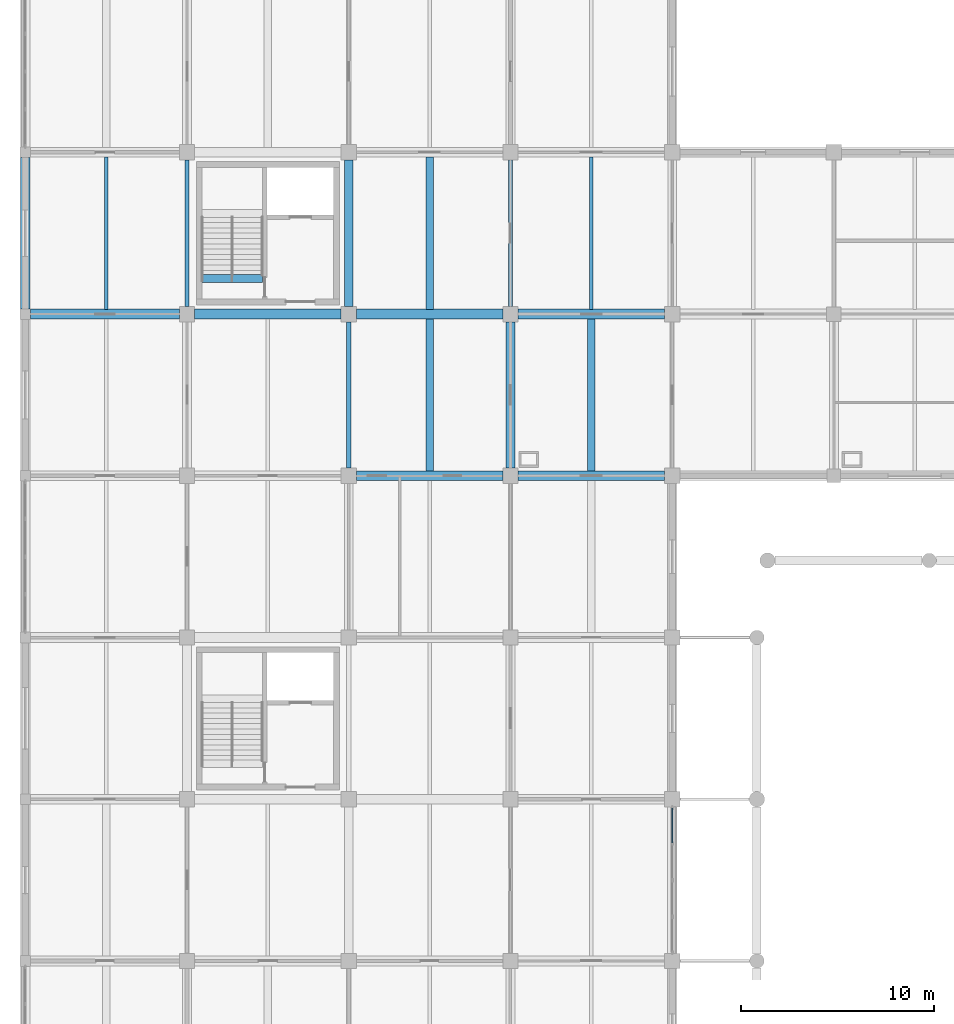
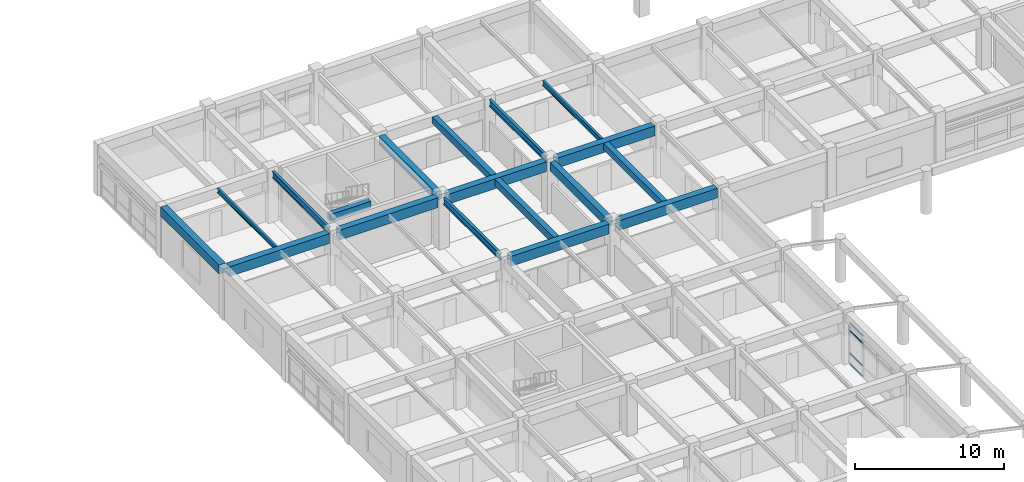
# One storey, part 7 of 99: 18 beams, 4 members, 1 element without a shape of its own.
"""IFC4 building model written with IfcOpenShell, lengths in metres."""

from ifc_helpers import new_model, si_unit, direction, frame, origin, origin_2d, place, context, subcontext, project, spatial, rectangle, i_section, extrude, material, layer, layer_set, material_profile, profile_set, type_object, element, aggregate, save


model = new_model("IFC4")

# Units and contexts
model_context = context("Model", 3, precision=1e-05, world=origin(), true_north=direction((0.0, 1.0)))
body_context = subcontext(model_context, "Body", "Model", "MODEL_VIEW")
ifc_project = project(units=[si_unit("LENGTHUNIT", "METRE"), si_unit("AREAUNIT", "SQUARE_METRE"), si_unit("VOLUMEUNIT", "CUBIC_METRE"), si_unit("PLANEANGLEUNIT", "RADIAN"), si_unit("MASSUNIT", "GRAM", prefix="KILO")], contexts=[model_context])

# Site, building, storey
site_placement = place(None, origin())
site = spatial("IfcSite", under=ifc_project, at=site_placement, CompositionType="ELEMENT")
building_placement = place(site_placement, origin())
building = spatial("IfcBuilding", under=site, at=building_placement, Name="Porcellanite Civic Hall", CompositionType="ELEMENT")
storey_placement = place(building_placement, frame((0.0, 0.0, 5.760009765625)))
storey = spatial("IfcBuildingStorey", under=building, at=storey_placement, Name="L01", CompositionType="ELEMENT", Elevation=5.760009765625)

# Beams
ifc_material_1 = material(Name="Concrete N50 (50 MPa)", Category="concrete")
ifc_material_profile_1 = material_profile(ifc_material_1, rectangle(XDim=0.39990234375, YDim=0.550048828125, at=origin_2d()), Name="RC-400x550")
ifc_profile_set_1 = profile_set([ifc_material_profile_1], Name="Concrete N50 (50 MPa)")
beam_type_1 = type_object("IfcBeamType", Name="BM-RC550", PredefinedType="JOIST", material=ifc_profile_set_1)
beam_1_placement = place(storey_placement, frame((21.0, 59.049560546875, 3.925048828125), z_axis=(0.0, 1.0, 0.0), x_axis=(-1.0, 0.0, 0.0)))
element("IfcBeam", 1, at=beam_1_placement, inside=storey, type_object=beam_type_1, Name="Secondary joist L01 3-8", PredefinedType="JOIST", context=body_context, shape_type="SweptSolid", body=[
    extrude(rectangle(XDim=0.39990234375, YDim=0.550048828125, at=origin_2d()), origin(), (0.0, 0.0, 1.0), 7.90087890625),
])
beam_2_placement = place(storey_placement, frame((29.39990234375, 50.6494140625, 3.925048828125), z_axis=(0.0, 1.0, 0.0), x_axis=(-1.0, 0.0, 0.0)))
element("IfcBeam", 2, at=beam_2_placement, inside=storey, type_object=beam_type_1, Name="Secondary joist L01 4-7", PredefinedType="JOIST", context=body_context, shape_type="SweptSolid", body=[
    extrude(rectangle(XDim=0.39990234375, YDim=0.550048828125, at=origin_2d()), origin(), (0.0, 0.0, 1.0), 7.901123046875),
])
beam_3_placement = place(storey_placement, frame((9.180419921875, 60.64990234375, 3.925048828125), z_axis=(1.0, 0.0, 0.0), x_axis=(0.0, 1.0, 0.0)))
element("IfcBeam", 3, at=beam_3_placement, inside=storey, type_object=beam_type_1, Name="Stair header beam C2 L01", PredefinedType="JOIST", context=body_context, shape_type="SweptSolid", body=[
    extrude(rectangle(XDim=0.39990234375, YDim=0.550048828125, at=origin_2d()), origin(), (0.0, 0.0, 1.0), 3.13916015625),
])
ifc_material_2 = material(Name="Concrete N50 (50 MPa)", Category="concrete")
ifc_material_profile_2 = material_profile(ifc_material_2, rectangle(XDim=0.39990234375, YDim=0.60009765625, at=origin_2d()), Name="RC-400x600")
ifc_profile_set_2 = profile_set([ifc_material_profile_2], Name="Concrete N50 (50 MPa)")
beam_type_2 = type_object("IfcBeamType", Name="BM-RC600", PredefinedType="JOIST", material=ifc_profile_set_2)
beam_4_placement = place(storey_placement, frame((21.0, 50.6494140625, 3.89990234375), z_axis=(0.0, 1.0, 0.0), x_axis=(-1.0, 0.0, 0.0)))
element("IfcBeam", 4, at=beam_4_placement, inside=storey, type_object=beam_type_2, Name="Secondary joist L01 3-7", PredefinedType="JOIST", context=body_context, shape_type="SweptSolid", body=[
    extrude(rectangle(XDim=0.39990234375, YDim=0.60009765625, at=origin_2d()), origin(), (0.0, 0.0, 1.0), 7.901123046875),
])
ifc_material_3 = material(Name="Concrete N50 (50 MPa)", Category="concrete")
ifc_material_profile_3 = material_profile(ifc_material_3, rectangle(XDim=0.449951171875, YDim=0.699951171875, at=origin_2d()), Name="RC-450x700")
ifc_profile_set_3 = profile_set([ifc_material_profile_3], Name="Concrete N50 (50 MPa)")
beam_type_3 = type_object("IfcBeamType", Name="BM-RC700", PredefinedType="BEAM", material=ifc_profile_set_3)
beam_5_placement = place(storey_placement, frame((16.800048828125, 59.199462890625, 3.85009765625), z_axis=(0.0, 1.0, 0.0), x_axis=(-1.0, 0.0, 0.0)))
element("IfcBeam", 5, at=beam_5_placement, inside=storey, type_object=beam_type_3, Name="Beam Y L01 3-8", PredefinedType="BEAM", context=body_context, shape_type="SweptSolid", body=[
    extrude(rectangle(XDim=0.449951171875, YDim=0.699951171875, at=origin_2d()), origin(), (0.0, 0.0, 1.0), 7.60107421875),
])
beam_6_placement = place(storey_placement, frame((25.199951171875, 50.799560546875, 3.85009765625), z_axis=(0.0, 1.0, 0.0), x_axis=(-1.0, 0.0, 0.0)))
element("IfcBeam", 6, at=beam_6_placement, inside=storey, type_object=beam_type_3, Name="Beam Y L01 4-7", PredefinedType="BEAM", context=body_context, shape_type="SweptSolid", body=[
    extrude(rectangle(XDim=0.449951171875, YDim=0.699951171875, at=origin_2d()), origin(), (0.0, 0.0, 1.0), 7.600830078125),
])
ifc_material_4 = material(Name="Concrete N50 (50 MPa)", Category="concrete")
ifc_material_profile_4 = material_profile(ifc_material_4, rectangle(XDim=0.5, YDim=0.75, at=origin_2d()), Name="RC-500x750")
ifc_profile_set_4 = profile_set([ifc_material_profile_4], Name="Concrete N50 (50 MPa)")
beam_type_4 = type_object("IfcBeamType", Name="BM-RC750", PredefinedType="SPANDREL", material=ifc_profile_set_4)
beam_7_placement = place(storey_placement, frame((0.0, 59.074462890625, 3.824951171875), z_axis=(0.0, 1.0, 0.0), x_axis=(-1.0, 0.0, 0.0)))
element("IfcBeam", 7, at=beam_7_placement, inside=storey, type_object=beam_type_4, Name="Beam Y L01 1-8", PredefinedType="SPANDREL", context=body_context, shape_type="SweptSolid", body=[
    extrude(rectangle(XDim=0.5, YDim=0.75, at=origin_2d()), origin(), (0.0, 0.0, 1.0), 7.85107421875),
])
ifc_material_5 = material(Name="Concrete N50 (50 MPa)", Category="concrete")
ifc_material_profile_5 = material_profile(ifc_material_5, rectangle(XDim=0.5, YDim=0.800048828125, at=origin_2d()), Name="RC-500x800")
ifc_profile_set_5 = profile_set([ifc_material_profile_5], Name="Concrete N50 (50 MPa)")
beam_type_5 = type_object("IfcBeamType", Name="BM-RC800", PredefinedType="BEAM", material=ifc_profile_set_5)
beam_8_placement = place(storey_placement, frame((0.2744140625, 58.800048828125, 3.800048828125), z_axis=(1.0, 0.0, 0.0), x_axis=(0.0, 1.0, 0.0)))
element("IfcBeam", 8, at=beam_8_placement, inside=storey, type_object=beam_type_5, Name="Beam X L01 1-8", PredefinedType="BEAM", context=body_context, shape_type="SweptSolid", body=[
    extrude(rectangle(XDim=0.5, YDim=0.800048828125, at=origin_2d()), origin(), (0.0, 0.0, 1.0), 7.72607421875),
])
beam_9_placement = place(storey_placement, frame((8.799560546875, 58.800048828125, 3.800048828125), z_axis=(1.0, 0.0, 0.0), x_axis=(0.0, 1.0, 0.0)))
element("IfcBeam", 9, at=beam_9_placement, inside=storey, type_object=beam_type_5, Name="Beam X L01 2-8", PredefinedType="BEAM", context=body_context, shape_type="SweptSolid", body=[
    extrude(rectangle(XDim=0.5, YDim=0.800048828125, at=origin_2d()), origin(), (0.0, 0.0, 1.0), 7.600830078125),
])
for number, where, z_axis, x_axis, name in (
    (10, (17.199462890625, 50.39990234375, 3.800048828125), (1.0, 0.0, 0.0), (0.0, 1.0, 0.0), "Beam X L01 3-7"),
    (11, (17.199462890625, 58.800048828125, 3.800048828125), (1.0, 0.0, 0.0), (0.0, 1.0, 0.0), "Beam X L01 3-8"),
):
    element("IfcBeam", number, at=place(storey_placement, frame(where, z_axis=z_axis, x_axis=x_axis)), inside=storey, type_object=beam_type_5, Name=name, PredefinedType="BEAM", context=body_context, shape_type="SweptSolid", body=[
        extrude(rectangle(XDim=0.5, YDim=0.800048828125, at=origin_2d()), origin(), (0.0, 0.0, 1.0), 7.60107421875),
    ])
for number, where, z_axis, x_axis, name in (
    (12, (25.599609375, 50.39990234375, 3.800048828125), (1.0, 0.0, 0.0), (0.0, 1.0, 0.0), "Beam X L01 4-7"),
    (13, (25.599609375, 58.800048828125, 3.800048828125), (1.0, 0.0, 0.0), (0.0, 1.0, 0.0), "Beam X L01 4-8"),
):
    element("IfcBeam", number, at=place(storey_placement, frame(where, z_axis=z_axis, x_axis=x_axis)), inside=storey, type_object=beam_type_5, Name=name, PredefinedType="BEAM", context=body_context, shape_type="SweptSolid", body=[
        extrude(rectangle(XDim=0.5, YDim=0.800048828125, at=origin_2d()), origin(), (0.0, 0.0, 1.0), 7.600830078125),
    ])

# Curtain wall, members
ifc_material_6 = material(Name="Anodised aluminium and solar laminated glass", Category="aluminium")
ifc_layer = layer(ifc_material_6, 0.179931640625)
ifc_layer_set = layer_set([ifc_layer], Name="Anodised aluminium and solar laminated glass")
curtain_wall_type = type_object("IfcCurtainWallType", Name="CW-SYS05", PredefinedType="NOTDEFINED", material=ifc_layer_set)
curtain_wall_placement = place(storey_placement, origin())
curtain_wall = element("IfcCurtainWall", 14, at=curtain_wall_placement, inside=storey, type_object=curtain_wall_type, Name="Curtain wall CW-071", PredefinedType="NOTDEFINED")
ifc_material_7 = material(Name="Anodised aluminium 6063-T6", Category="aluminium")
ifc_material_profile_6 = material_profile(ifc_material_7, rectangle(XDim=0.06005859375, YDim=0.1298828125, at=origin_2d()), Name="AL-60x130")
ifc_profile_set_6 = profile_set([ifc_material_profile_6], Name="Anodised aluminium 6063-T6")
member_type = type_object("IfcMemberType", Name="CWT-03", PredefinedType="USERDEFINED", material=ifc_profile_set_6)
member_1_placement = place(storey_placement, frame((33.60009765625, 33.12890625, 0.030029296875), z_axis=(0.0, -1.0, 0.0), x_axis=(1.0, 0.0, 0.0)))
member_1 = element("IfcMember", 15, at=member_1_placement, type_object=member_type, Name="CW-071 transom 1.1", ObjectType="TRANSOM", PredefinedType="USERDEFINED", context=body_context, shape_type="SweptSolid", body=[
    extrude(rectangle(XDim=0.06005859375, YDim=0.1298828125, at=origin_2d()), origin(), (0.0, 0.0, 1.0), 1.79443359375),
])
member_2_placement = place(storey_placement, frame((33.60009765625, 33.12890625, 0.89990234375), z_axis=(0.0, -1.0, 0.0), x_axis=(1.0, 0.0, 0.0)))
member_2 = element("IfcMember", 16, at=member_2_placement, type_object=member_type, Name="CW-071 transom 1.2", ObjectType="TRANSOM", PredefinedType="USERDEFINED", context=body_context, shape_type="SweptSolid", body=[
    extrude(rectangle(XDim=0.06005859375, YDim=0.1298828125, at=origin_2d()), origin(), (0.0, 0.0, 1.0), 1.79443359375),
])
member_3_placement = place(storey_placement, frame((33.60009765625, 33.12890625, 2.75), z_axis=(0.0, -1.0, 0.0), x_axis=(1.0, 0.0, 0.0)))
member_3 = element("IfcMember", 17, at=member_3_placement, type_object=member_type, Name="CW-071 transom 1.3", ObjectType="TRANSOM", PredefinedType="USERDEFINED", context=body_context, shape_type="SweptSolid", body=[
    extrude(rectangle(XDim=0.06005859375, YDim=0.1298828125, at=origin_2d()), origin(), (0.0, 0.0, 1.0), 1.79443359375),
])
member_4_placement = place(storey_placement, frame((33.60009765625, 33.12890625, 3.369873046875), z_axis=(0.0, -1.0, 0.0), x_axis=(1.0, 0.0, 0.0)))
member_4 = element("IfcMember", 18, at=member_4_placement, type_object=member_type, Name="CW-071 transom 1.4", ObjectType="TRANSOM", PredefinedType="USERDEFINED", context=body_context, shape_type="SweptSolid", body=[
    extrude(rectangle(XDim=0.06005859375, YDim=0.1298828125, at=origin_2d()), origin(), (0.0, 0.0, 1.0), 1.79443359375),
])
aggregate(curtain_wall, [member_1, member_2, member_3, member_4])

# Beams
ifc_material_8 = material(Name="Steel Grade 350", Category="steel")
ifc_material_profile_7 = material_profile(ifc_material_8, i_section(OverallWidth=0.1708984375, OverallDepth=0.35595703125, WebThickness=0.00732421875, FlangeThickness=0.011474609375, FilletRadius=0.011474609375, at=origin_2d()), Name="360UB50.7")
ifc_profile_set_7 = profile_set([ifc_material_profile_7], Name="Steel Grade 350")
beam_type_6 = type_object("IfcBeamType", Name="JST-360UB51", PredefinedType="JOIST", material=ifc_profile_set_7)
beam_10_placement = place(storey_placement, frame((4.199951171875, 59.049560546875, 4.02197265625), z_axis=(0.0, 1.0, 0.0), x_axis=(-1.0, 0.0, 0.0)))
element("IfcBeam", 19, at=beam_10_placement, inside=storey, type_object=beam_type_6, Name="Secondary joist L01 1-8", PredefinedType="JOIST", context=body_context, shape_type="SweptSolid", body=[
    extrude(i_section(OverallWidth=0.1708984375, OverallDepth=0.35595703125, WebThickness=0.00732421875, FlangeThickness=0.011474609375, FilletRadius=0.011474609375, at=origin_2d()), origin(), (0.0, 0.0, 1.0), 7.90087890625),
])
ifc_material_9 = material(Name="Steel Grade 350", Category="steel")
ifc_material_profile_8 = material_profile(ifc_material_9, i_section(OverallWidth=0.177978515625, OverallDepth=0.406005859375, WebThickness=0.0078125, FlangeThickness=0.0126953125, FilletRadius=0.011474609375, at=origin_2d()), Name="410UB59.7")
ifc_profile_set_8 = profile_set([ifc_material_profile_8], Name="Steel Grade 350")
beam_type_7 = type_object("IfcBeamType", Name="JST-410UB60", PredefinedType="JOIST", material=ifc_profile_set_8)
beam_11_placement = place(storey_placement, frame((29.39990234375, 59.049560546875, 3.9970703125), z_axis=(0.0, 1.0, 0.0), x_axis=(-1.0, 0.0, 0.0)))
element("IfcBeam", 20, at=beam_11_placement, inside=storey, type_object=beam_type_7, Name="Secondary joist L01 4-8", PredefinedType="JOIST", context=body_context, shape_type="SweptSolid", body=[
    extrude(i_section(OverallWidth=0.177978515625, OverallDepth=0.406005859375, WebThickness=0.0078125, FlangeThickness=0.0126953125, FilletRadius=0.011474609375, at=origin_2d()), origin(), (0.0, 0.0, 1.0), 7.90087890625),
])
ifc_material_10 = material(Name="Steel Grade 350", Category="steel")
ifc_material_profile_9 = material_profile(ifc_material_10, i_section(OverallWidth=0.208984375, OverallDepth=0.528076171875, WebThickness=0.009521484375, FlangeThickness=0.01318359375, FilletRadius=0.013916015625, at=origin_2d()), Name="530UB82.0")
ifc_profile_set_9 = profile_set([ifc_material_profile_9], Name="Steel Grade 350")
beam_type_8 = type_object("IfcBeamType", Name="RAF-530UB82", PredefinedType="BEAM", material=ifc_profile_set_9)
beam_12_placement = place(storey_placement, frame((8.39990234375, 59.199462890625, 3.93603515625), z_axis=(0.0, 1.0, 0.0), x_axis=(-1.0, 0.0, 0.0)))
element("IfcBeam", 21, at=beam_12_placement, inside=storey, type_object=beam_type_8, Name="Beam Y L01 2-8", PredefinedType="BEAM", context=body_context, shape_type="SweptSolid", body=[
    extrude(i_section(OverallWidth=0.208984375, OverallDepth=0.528076171875, WebThickness=0.009521484375, FlangeThickness=0.01318359375, FilletRadius=0.013916015625, at=origin_2d()), origin(), (0.0, 0.0, 1.0), 7.60107421875),
])
beam_13_placement = place(storey_placement, frame((16.800048828125, 50.799560546875, 3.93603515625), z_axis=(0.0, 1.0, 0.0), x_axis=(-1.0, 0.0, 0.0)))
element("IfcBeam", 22, at=beam_13_placement, inside=storey, type_object=beam_type_8, Name="Beam Y L01 3-7", PredefinedType="BEAM", context=body_context, shape_type="SweptSolid", body=[
    extrude(i_section(OverallWidth=0.208984375, OverallDepth=0.528076171875, WebThickness=0.009521484375, FlangeThickness=0.01318359375, FilletRadius=0.013916015625, at=origin_2d()), origin(), (0.0, 0.0, 1.0), 7.600830078125),
])
beam_14_placement = place(storey_placement, frame((25.199951171875, 59.199462890625, 3.93603515625), z_axis=(0.0, 1.0, 0.0), x_axis=(-1.0, 0.0, 0.0)))
element("IfcBeam", 23, at=beam_14_placement, inside=storey, type_object=beam_type_8, Name="Beam Y L01 4-8", PredefinedType="BEAM", context=body_context, shape_type="SweptSolid", body=[
    extrude(i_section(OverallWidth=0.208984375, OverallDepth=0.528076171875, WebThickness=0.009521484375, FlangeThickness=0.01318359375, FilletRadius=0.013916015625, at=origin_2d()), origin(), (0.0, 0.0, 1.0), 7.60107421875),
])

save(model, "model.ifc")
